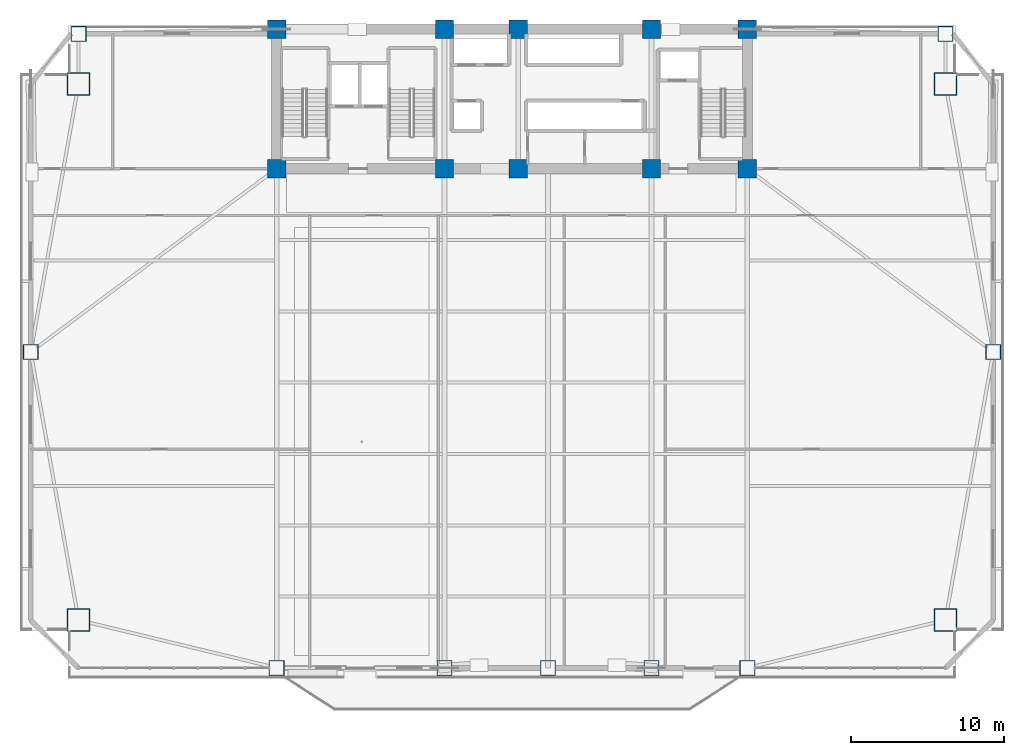
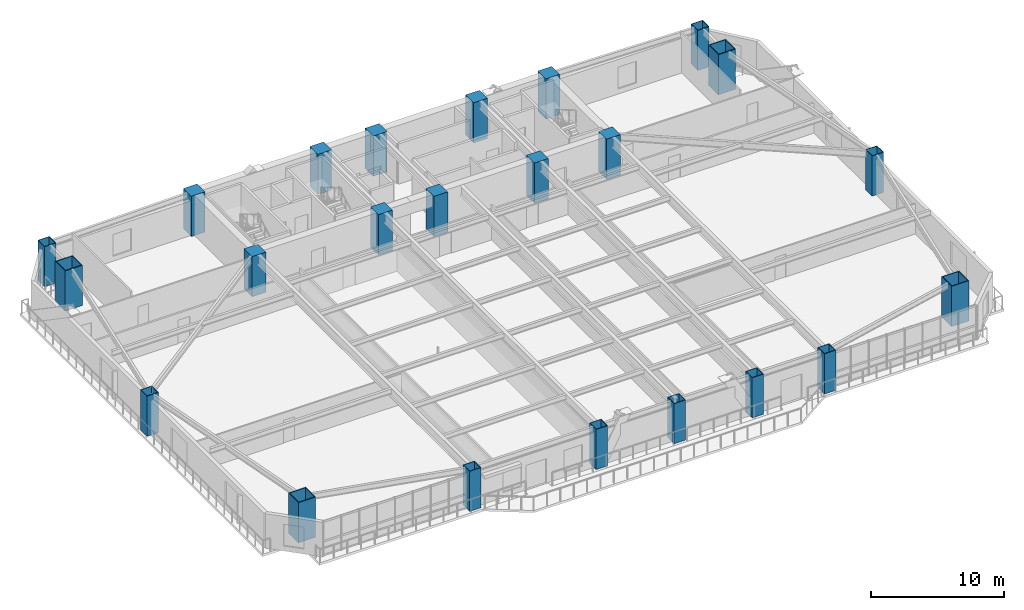
# One storey, part 1 of 18: 23 columns.
"""IFC4 building model written with IfcOpenShell, lengths in metres."""

from ifc_helpers import new_model, si_unit, direction, frame, origin, origin_2d, place, context, subcontext, project, spatial, rectangle, hollow_rectangle, extrude, source, transform, mapped, material, material_profile, profile_set, type_object, element, save


model = new_model("IFC4")

# Units and contexts
model_context = context("Model", 3, precision=1e-05, world=origin(), true_north=direction((0.0, 1.0)))
body_context = subcontext(model_context, "Body", "Model", "MODEL_VIEW")
ifc_project = project(units=[si_unit("LENGTHUNIT", "METRE"), si_unit("AREAUNIT", "SQUARE_METRE"), si_unit("VOLUMEUNIT", "CUBIC_METRE"), si_unit("PLANEANGLEUNIT", "RADIAN"), si_unit("MASSUNIT", "GRAM", prefix="KILO")], contexts=[model_context])

# Site, building, storey
site_placement = place(None, origin())
site = spatial("IfcSite", under=ifc_project, at=site_placement, CompositionType="ELEMENT")
building_placement = place(site_placement, origin())
building = spatial("IfcBuilding", under=site, at=building_placement, Name="Giltprow Tower", CompositionType="ELEMENT")
storey_placement = place(building_placement, frame((0.0, 0.0, 61.10009765625)))
storey = spatial("IfcBuildingStorey", under=building, at=storey_placement, Name="L15", CompositionType="ELEMENT", Elevation=61.10009765625)

# Columns
ifc_material_1 = material(Name="Concrete C60", Category="concrete")
ifc_material_profile_1 = material_profile(ifc_material_1, rectangle(XDim=1.199951171875, YDim=1.199951171875, at=origin_2d()), Name="RC 1200x1200")
ifc_profile_set_1 = profile_set([ifc_material_profile_1], Name="Concrete C60")
column_type_1 = type_object("IfcColumnType", Name="PIL-RC-1200-C60", PredefinedType="PILASTER", material=ifc_profile_set_1)
shared_shape_1 = source(origin(), body_context, "Body", "SweptSolid", [
    extrude(rectangle(XDim=1.199951171875, YDim=1.199951171875, at=origin_2d()), origin(), (0.0, 0.0, 1.0), 3.679931640625),
])
for number, where, z_axis, x_axis, name in (
    (1, (19.85009765625, 37.449951171875, 0.0), (0.0, 0.0, 1.0), (1.0, 0.0, 0.0), "L15 Core Boundary Pilaster 1-1"),
    (2, (19.85009765625, 46.550048828125, 0.0), (0.0, 0.0, 1.0), (1.0, 0.0, 0.0), "L15 Core Boundary Pilaster 1-2"),
    (3, (30.800048828125, 37.449951171875, 0.0), (0.0, 0.0, 1.0), (1.0, 0.0, 0.0), "L15 Core Boundary Pilaster 2-1"),
    (4, (30.800048828125, 46.550048828125, 0.0), (0.0, 0.0, 1.0), (1.0, 0.0, 0.0), "L15 Core Boundary Pilaster 2-2"),
    (5, (35.60009765625, 37.449951171875, 0.0), (0.0, 0.0, 1.0), (1.0, 0.0, 0.0), "L15 Core Boundary Pilaster 3-1"),
    (6, (35.60009765625, 46.550048828125, 0.0), (0.0, 0.0, 1.0), (1.0, 0.0, 0.0), "L15 Core Boundary Pilaster 3-2"),
    (7, (44.300048828125, 37.449951171875, 0.0), (0.0, 0.0, 1.0), (1.0, 0.0, 0.0), "L15 Core Boundary Pilaster 4-1"),
    (8, (44.300048828125, 46.550048828125, 0.0), (0.0, 0.0, 1.0), (1.0, 0.0, 0.0), "L15 Core Boundary Pilaster 4-2"),
    (9, (50.550048828125, 37.449951171875, 0.0), (0.0, 0.0, 1.0), (1.0, 0.0, 0.0), "L15 Core Boundary Pilaster 5-1"),
    (10, (50.550048828125, 46.550048828125, 0.0), (0.0, 0.0, 1.0), (1.0, 0.0, 0.0), "L15 Core Boundary Pilaster 5-2"),
):
    element("IfcColumn", number, at=place(storey_placement, frame(where, z_axis=z_axis, x_axis=x_axis)), inside=storey, type_object=column_type_1, Name=name, PredefinedType="PILASTER", context=body_context, shape_type="MappedRepresentation", body=[
        mapped(shared_shape_1, transform((0.0, 0.0, 0.0), x_axis=(1.0, 0.0, 0.0), y_axis=(0.0, 1.0, 0.0), z_axis=(0.0, 0.0, 1.0), scale=1.0)),
    ])
ifc_material_2 = material(Name="Structural steel Q420GJC", Category="steel")
ifc_material_profile_2 = material_profile(ifc_material_2, hollow_rectangle(XDim=1.5, YDim=1.5, WallThickness=0.070068359375, at=origin_2d()), Name="BOX 1500x1500x70")
ifc_profile_set_2 = profile_set([ifc_material_profile_2], Name="Structural steel Q420GJC")
column_type_2 = type_object("IfcColumnType", Name="COL-BOX-1500x1500x70", PredefinedType="COLUMN", material=ifc_profile_set_2)
shared_shape_2 = source(origin(), body_context, "Body", "SweptSolid", [
    extrude(hollow_rectangle(XDim=1.5, YDim=1.5, WallThickness=0.070068359375, at=origin_2d()), origin(), (0.0, 0.0, 1.0), 3.679931640625),
])
for number, where, z_axis, x_axis, name in (
    (11, (6.927001953125, 8.00390625, 0.0), (0.0, 0.0, 1.0), (1.0, 0.0, 0.0), "L15 Mega-Column MC_SW"),
    (12, (63.47412109375, 8.00390625, 0.0), (0.0, 0.0, 1.0), (1.0, 0.0, 0.0), "L15 Mega-Column MC_SE"),
    (13, (6.927001953125, 42.97802734375, 0.0), (0.0, 0.0, 1.0), (1.0, 0.0, 0.0), "L15 Mega-Column MC_NW"),
    (14, (63.47412109375, 42.97802734375, 0.0), (0.0, 0.0, 1.0), (1.0, 0.0, 0.0), "L15 Mega-Column MC_NE"),
):
    element("IfcColumn", number, at=place(storey_placement, frame(where, z_axis=z_axis, x_axis=x_axis)), inside=storey, type_object=column_type_2, Name=name, PredefinedType="COLUMN", context=body_context, shape_type="MappedRepresentation", body=[
        mapped(shared_shape_2, transform((0.0, 0.0, 0.0), x_axis=(1.0, 0.0, 0.0), y_axis=(0.0, 1.0, 0.0), z_axis=(0.0, 0.0, 1.0), scale=1.0)),
    ])
ifc_material_profile_3 = material_profile(ifc_material_2, hollow_rectangle(XDim=1.0, YDim=1.0, WallThickness=0.044921875, at=origin_2d()), Name="BOX 1000x1000x45")
ifc_profile_set_3 = profile_set([ifc_material_profile_3], Name="Structural steel Q420GJC")
column_type_3 = type_object("IfcColumnType", Name="COL-BOX-1000x1000x45", PredefinedType="COLUMN", material=ifc_profile_set_3)
shared_shape_3 = source(origin(), body_context, "Body", "SweptSolid", [
    extrude(hollow_rectangle(XDim=1.0, YDim=1.0, WallThickness=0.044921875, at=origin_2d()), origin(), (0.0, 0.0, 1.0), 3.679931640625),
])
for number, where, z_axis, x_axis, name in (
    (15, (19.85009765625, 4.882080078125, 0.0), (0.0, 0.0, 1.0), (1.0, 0.0, 0.0), "L15 Perimeter Column S1"),
    (16, (30.800048828125, 4.882080078125, 0.0), (0.0, 0.0, 1.0), (1.0, 0.0, 0.0), "L15 Perimeter Column S2"),
    (17, (37.550048828125, 4.882080078125, 0.0), (0.0, 0.0, 1.0), (1.0, 0.0, 0.0), "L15 Perimeter Column S_MID"),
    (18, (44.300048828125, 4.882080078125, 0.0), (0.0, 0.0, 1.0), (1.0, 0.0, 0.0), "L15 Perimeter Column S3"),
    (19, (50.550048828125, 4.882080078125, 0.0), (0.0, 0.0, 1.0), (1.0, 0.0, 0.0), "L15 Perimeter Column S4"),
    (20, (3.804931640625, 25.490966796875, 0.0), (0.0, 0.0, 1.0), (1.0, 0.0, 0.0), "L15 Perimeter Column W_MID"),
    (21, (66.595947265625, 25.490966796875, 0.0), (0.0, 0.0, 1.0), (1.0, 0.0, 0.0), "L15 Perimeter Column E_MID"),
    (22, (6.927001953125, 46.25, 0.0), (0.0, 0.0, 1.0), (1.0, 0.0, 0.0), "L15 Perimeter Column N_W"),
    (23, (63.47412109375, 46.25, 0.0), (0.0, 0.0, 1.0), (1.0, 0.0, 0.0), "L15 Perimeter Column N_E"),
):
    element("IfcColumn", number, at=place(storey_placement, frame(where, z_axis=z_axis, x_axis=x_axis)), inside=storey, type_object=column_type_3, Name=name, PredefinedType="COLUMN", context=body_context, shape_type="MappedRepresentation", body=[
        mapped(shared_shape_3, transform((0.0, 0.0, 0.0), x_axis=(1.0, 0.0, 0.0), y_axis=(0.0, 1.0, 0.0), z_axis=(0.0, 0.0, 1.0), scale=1.0)),
    ])

save(model, "model.ifc")
